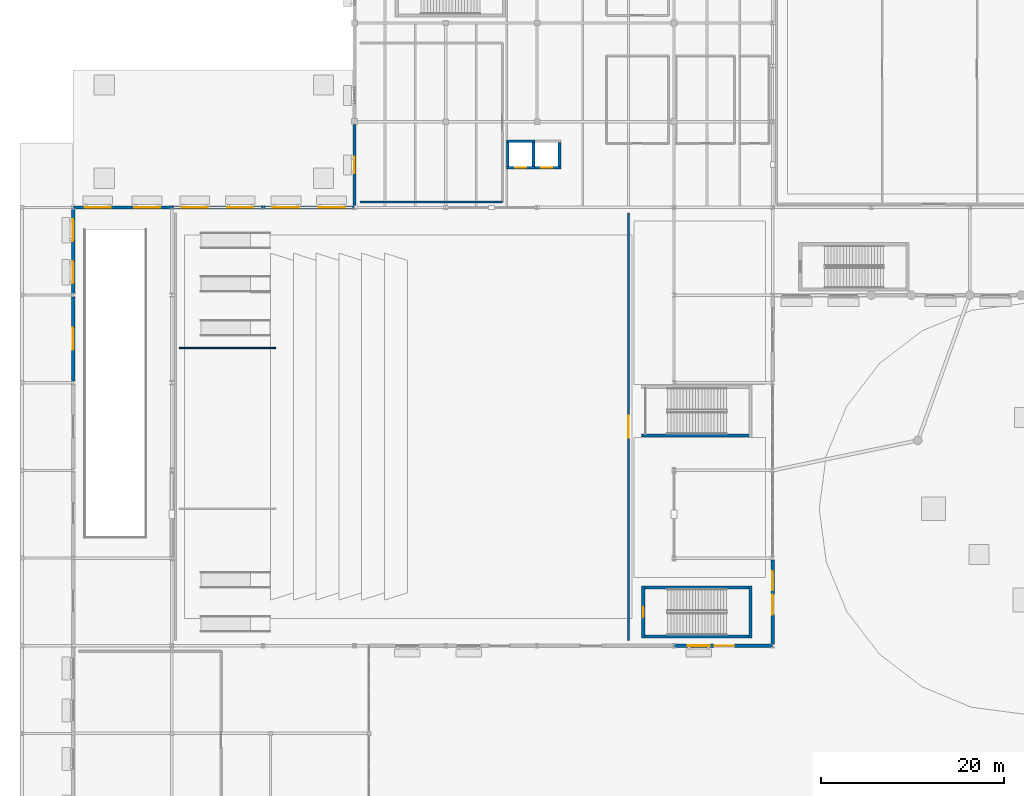
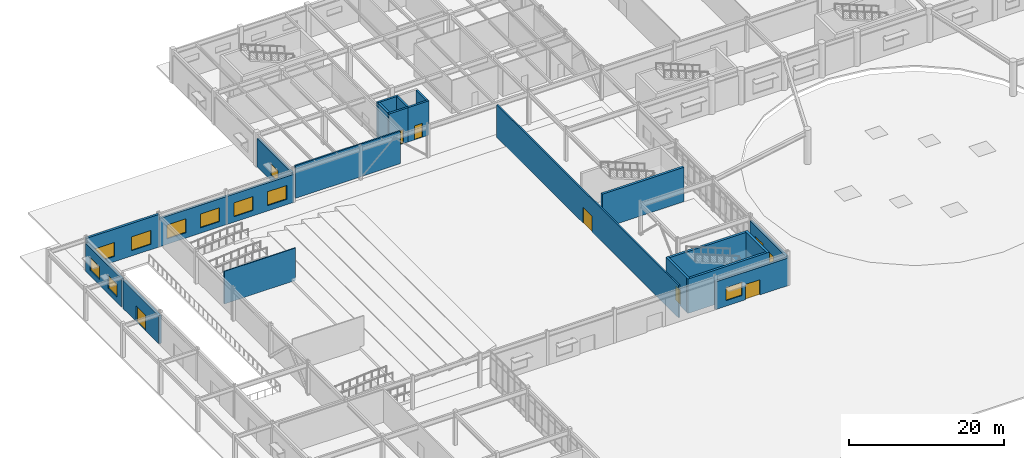
# One storey, part 30 of 54: 22 walls, 11 windows, 7 doors, 18 openings.
"""IFC4 building model written with IfcOpenShell, lengths in metres."""

from ifc_helpers import new_model, si_unit, direction, frame, frame_2d, origin, place, context, subcontext, project, spatial, rectangle, extrude, material, layer, layer_set, type_object, element, fill, save


model = new_model("IFC4")

# Units and contexts
model_context = context("Model", 3, precision=1e-05, world=origin(), true_north=direction((0.0, 1.0)))
body_context = subcontext(model_context, "Body", "Model", "MODEL_VIEW")
ifc_project = project(units=[si_unit("LENGTHUNIT", "METRE"), si_unit("AREAUNIT", "SQUARE_METRE"), si_unit("VOLUMEUNIT", "CUBIC_METRE"), si_unit("PLANEANGLEUNIT", "RADIAN"), si_unit("MASSUNIT", "GRAM", prefix="KILO")], contexts=[model_context])

# Site, building, storey
site_placement = place(None, origin())
site = spatial("IfcSite", under=ifc_project, at=site_placement, CompositionType="ELEMENT")
building_placement = place(site_placement, origin())
building = spatial("IfcBuilding", under=site, at=building_placement, Name="Veldera Park Congress Hotel", CompositionType="ELEMENT")
storey_placement = place(building_placement, origin())
storey = spatial("IfcBuildingStorey", under=building, at=storey_placement, Name="L00", CompositionType="ELEMENT", Elevation=0.0)

# Wall, opening, window
ifc_material_1 = material(Name="Cross-laminated timber CLT V2M1.1", Category="wood")
ifc_layer_1 = layer(ifc_material_1, 0.320068359375)
ifc_layer_set_1 = layer_set([ifc_layer_1], Name="Cross-laminated timber CLT V2M1.1")
wall_type_1 = type_object("IfcWallType", Name="EW-CLT320", PredefinedType="STANDARD", material=ifc_layer_set_1)
wall_1_placement = place(storey_placement, frame((-47.39990234375, 36.076904296875, 0.0), z_axis=(0.0, 0.0, 1.0), x_axis=(0.0, -1.0, 0.0)))
wall_1 = element("IfcWall", 1, at=wall_1_placement, inside=storey, type_object=wall_type_1, Name="L00 Exterior Wall EW3-L00-0018", PredefinedType="STANDARD", context=body_context, shape_type="SweptSolid", body=[
    extrude(rectangle(XDim=8.885498046875, YDim=0.320068359375, at=frame_2d((4.44287109375, 0.0))), origin(), (0.0, 0.0, 1.0), 4.498046875),
])
opening_1_placement = place(wall_1_placement, frame((3.542724609375, 0.0, 0.85009765625)))
opening_1 = element("IfcOpeningElement", 2, at=opening_1_placement, cuts=wall_1, Name="Opening WIN-1800", PredefinedType="OPENING", context=body_context, shape_type="SweptSolid", body=[
    extrude(rectangle(XDim=1.800048828125, YDim=1.85009765625, at=frame_2d((0.89990234375, 0.925048828125))), frame((0.0, 0.172119140625, 0.0), z_axis=(0.0, -1.0, 0.0), x_axis=(1.0, 0.0, 0.0)), (0.0, 0.0, 1.0), 0.343994140625),
])
ifc_material_2 = material(Name="Low-E Triple Insulating Glass Unit (SHGC 0.22)", Category="glass")
window_type_1 = type_object("IfcWindowType", Name="WIN-1800", PartitioningType="SINGLE_PANEL", PredefinedType="WINDOW", material=ifc_material_2)
window_1_placement = place(opening_1_placement, origin())
window_1 = element("IfcWindow", 3, at=window_1_placement, inside=storey, type_object=window_type_1, Name="L00 Window WIN-1800 16", OverallHeight=1.85009765625, OverallWidth=1.800048828125, PartitioningType="SINGLE_PANEL", PredefinedType="WINDOW", context=body_context, shape_type="SweptSolid", body=[
    extrude(rectangle(XDim=1.800048828125, YDim=1.85009765625, at=frame_2d((0.89990234375, 0.925048828125))), frame((0.0, 0.030029296875, 0.0), z_axis=(0.0, -1.0, 0.0), x_axis=(1.0, 0.0, 0.0)), (0.0, 0.0, 1.0), 0.06005859375),
])
fill(opening_1, window_1)

# Wall, openings, windows
ifc_material_3 = material(Name="Architectural Sandstone Cladding (ASTM C616)", Category="masonry")
ifc_layer_2 = layer(ifc_material_3, 0.340087890625)
ifc_layer_set_2 = layer_set([ifc_layer_2], Name="Architectural Sandstone Cladding (ASTM C616)")
wall_type_2 = type_object("IfcWallType", Name="EW-STONE340", PredefinedType="STANDARD", material=ifc_layer_set_2)
wall_2_placement = place(storey_placement, frame((-47.408447265625, 27.0, 0.0), z_axis=(0.0, 0.0, 1.0), x_axis=(-1.0, 0.0, 0.0)))
wall_2 = element("IfcWall", 4, at=wall_2_placement, inside=storey, type_object=wall_type_2, Name="L00 Exterior Wall EW3-L00-0013", PredefinedType="STANDARD", context=body_context, shape_type="SweptSolid", body=[
    extrude(rectangle(XDim=9.98291015625, YDim=0.340087890625, at=frame_2d((4.991455078125, 0.0))), origin(), (0.0, 0.0, 1.0), 4.4140625),
])
opening_2_placement = place(wall_2_placement, frame((1.07080078125, 0.0, 0.85009765625)))
opening_2 = element("IfcOpeningElement", 5, at=opening_2_placement, cuts=wall_2, Name="Opening WIN-2850", PredefinedType="OPENING", context=body_context, shape_type="SweptSolid", body=[
    extrude(rectangle(XDim=2.85009765625, YDim=2.179931640625, at=frame_2d((1.425048828125, 1.08984375))), frame((0.0, 0.18212890625, 0.0), z_axis=(0.0, -1.0, 0.0), x_axis=(1.0, 0.0, 0.0)), (0.0, 0.0, 1.0), 0.364013671875),
])
opening_3_placement = place(wall_2_placement, frame((6.062255859375, 0.0, 0.85009765625)))
opening_3 = element("IfcOpeningElement", 6, at=opening_3_placement, cuts=wall_2, Name="Opening WIN-2850", PredefinedType="OPENING", context=body_context, shape_type="SweptSolid", body=[
    extrude(rectangle(XDim=2.85009765625, YDim=2.179931640625, at=frame_2d((1.425048828125, 1.08984375))), frame((0.0, 0.18212890625, 0.0), z_axis=(0.0, -1.0, 0.0), x_axis=(1.0, 0.0, 0.0)), (0.0, 0.0, 1.0), 0.364013671875),
])
window_type_2 = type_object("IfcWindowType", Name="WIN-2850", PartitioningType="TRIPLE_PANEL_VERTICAL", PredefinedType="WINDOW", material=ifc_material_2)
window_2_placement = place(opening_2_placement, origin())
window_2 = element("IfcWindow", 7, at=window_2_placement, inside=storey, type_object=window_type_2, Name="L00 Window WIN-2850 8", OverallHeight=2.179931640625, OverallWidth=2.85009765625, PartitioningType="TRIPLE_PANEL_VERTICAL", PredefinedType="WINDOW", context=body_context, shape_type="SweptSolid", body=[
    extrude(rectangle(XDim=2.85009765625, YDim=2.179931640625, at=frame_2d((1.425048828125, 1.08984375))), frame((0.0, 0.030029296875, 0.0), z_axis=(0.0, -1.0, 0.0), x_axis=(1.0, 0.0, 0.0)), (0.0, 0.0, 1.0), 0.06005859375),
])
fill(opening_2, window_2)
window_3_placement = place(opening_3_placement, origin())
window_3 = element("IfcWindow", 8, at=window_3_placement, inside=storey, type_object=window_type_2, Name="L00 Window WIN-2850 9", OverallHeight=2.179931640625, OverallWidth=2.85009765625, PartitioningType="TRIPLE_PANEL_VERTICAL", PredefinedType="WINDOW", context=body_context, shape_type="SweptSolid", body=[
    extrude(rectangle(XDim=2.85009765625, YDim=2.179931640625, at=frame_2d((1.425048828125, 1.08984375))), frame((0.0, 0.030029296875, 0.0), z_axis=(0.0, -1.0, 0.0), x_axis=(1.0, 0.0, 0.0)), (0.0, 0.0, 1.0), 0.06005859375),
])
fill(opening_3, window_3)

wall_3_placement = place(storey_placement, frame((-57.408447265625, 27.0, 0.0), z_axis=(0.0, 0.0, 1.0), x_axis=(-1.0, 0.0, 0.0)))
wall_3 = element("IfcWall", 9, at=wall_3_placement, inside=storey, type_object=wall_type_2, Name="L00 Exterior Wall EW3-L00-0014", PredefinedType="STANDARD", context=body_context, shape_type="SweptSolid", body=[
    extrude(rectangle(XDim=9.978759765625, YDim=0.340087890625, at=frame_2d((4.9892578125, 0.0))), origin(), (0.0, 0.0, 1.0), 4.4140625),
])
opening_4_placement = place(wall_3_placement, frame((1.069580078125, 0.0, 0.85009765625)))
opening_4 = element("IfcOpeningElement", 10, at=opening_4_placement, cuts=wall_3, Name="Opening WIN-2850", PredefinedType="OPENING", context=body_context, shape_type="SweptSolid", body=[
    extrude(rectangle(XDim=2.85009765625, YDim=2.179931640625, at=frame_2d((1.425048828125, 1.08984375))), frame((0.0, 0.18212890625, 0.0), z_axis=(0.0, -1.0, 0.0), x_axis=(1.0, 0.0, 0.0)), (0.0, 0.0, 1.0), 0.364013671875),
])
opening_5_placement = place(wall_3_placement, frame((6.05908203125, 0.0, 0.85009765625)))
opening_5 = element("IfcOpeningElement", 11, at=opening_5_placement, cuts=wall_3, Name="Opening WIN-2850", PredefinedType="OPENING", context=body_context, shape_type="SweptSolid", body=[
    extrude(rectangle(XDim=2.85009765625, YDim=2.179931640625, at=frame_2d((1.425048828125, 1.08984375))), frame((0.0, 0.18212890625, 0.0), z_axis=(0.0, -1.0, 0.0), x_axis=(1.0, 0.0, 0.0)), (0.0, 0.0, 1.0), 0.364013671875),
])
window_4_placement = place(opening_4_placement, origin())
window_4 = element("IfcWindow", 12, at=window_4_placement, inside=storey, type_object=window_type_2, Name="L00 Window WIN-2850 10", OverallHeight=2.179931640625, OverallWidth=2.85009765625, PartitioningType="TRIPLE_PANEL_VERTICAL", PredefinedType="WINDOW", context=body_context, shape_type="SweptSolid", body=[
    extrude(rectangle(XDim=2.85009765625, YDim=2.179931640625, at=frame_2d((1.425048828125, 1.08984375))), frame((0.0, 0.030029296875, 0.0), z_axis=(0.0, -1.0, 0.0), x_axis=(1.0, 0.0, 0.0)), (0.0, 0.0, 1.0), 0.06005859375),
])
fill(opening_4, window_4)
window_5_placement = place(opening_5_placement, origin())
window_5 = element("IfcWindow", 13, at=window_5_placement, inside=storey, type_object=window_type_2, Name="L00 Window WIN-2850 11", OverallHeight=2.179931640625, OverallWidth=2.85009765625, PartitioningType="TRIPLE_PANEL_VERTICAL", PredefinedType="WINDOW", context=body_context, shape_type="SweptSolid", body=[
    extrude(rectangle(XDim=2.85009765625, YDim=2.179931640625, at=frame_2d((1.425048828125, 1.08984375))), frame((0.0, 0.030029296875, 0.0), z_axis=(0.0, -1.0, 0.0), x_axis=(1.0, 0.0, 0.0)), (0.0, 0.0, 1.0), 0.06005859375),
])
fill(opening_5, window_5)

wall_4_placement = place(storey_placement, frame((-67.412841796875, 27.0, 0.0), z_axis=(0.0, 0.0, 1.0), x_axis=(-1.0, 0.0, 0.0)))
wall_4 = element("IfcWall", 14, at=wall_4_placement, inside=storey, type_object=wall_type_2, Name="L00 Exterior Wall EW3-L00-0015", PredefinedType="STANDARD", context=body_context, shape_type="SweptSolid", body=[
    extrude(rectangle(XDim=10.779541015625, YDim=0.340087890625, at=frame_2d((5.3896484375, 0.0))), origin(), (0.0, 0.0, 1.0), 5.1201171875),
])
opening_6_placement = place(wall_4_placement, frame((1.27001953125, 0.0, 0.85009765625)))
opening_6 = element("IfcOpeningElement", 15, at=opening_6_placement, cuts=wall_4, Name="Opening WIN-2850", PredefinedType="OPENING", context=body_context, shape_type="SweptSolid", body=[
    extrude(rectangle(XDim=2.85009765625, YDim=2.179931640625, at=frame_2d((1.425048828125, 1.08984375))), frame((0.0, 0.18212890625, 0.0), z_axis=(0.0, -1.0, 0.0), x_axis=(1.0, 0.0, 0.0)), (0.0, 0.0, 1.0), 0.364013671875),
])
opening_7_placement = place(wall_4_placement, frame((6.65966796875, 0.0, 0.85009765625)))
opening_7 = element("IfcOpeningElement", 16, at=opening_7_placement, cuts=wall_4, Name="Opening WIN-2850", PredefinedType="OPENING", context=body_context, shape_type="SweptSolid", body=[
    extrude(rectangle(XDim=2.85009765625, YDim=2.179931640625, at=frame_2d((1.425048828125, 1.08984375))), frame((0.0, 0.18212890625, 0.0), z_axis=(0.0, -1.0, 0.0), x_axis=(1.0, 0.0, 0.0)), (0.0, 0.0, 1.0), 0.364013671875),
])
window_6_placement = place(opening_6_placement, origin())
window_6 = element("IfcWindow", 17, at=window_6_placement, inside=storey, type_object=window_type_2, Name="L00 Window WIN-2850 12", OverallHeight=2.179931640625, OverallWidth=2.85009765625, PartitioningType="TRIPLE_PANEL_VERTICAL", PredefinedType="WINDOW", context=body_context, shape_type="SweptSolid", body=[
    extrude(rectangle(XDim=2.85009765625, YDim=2.179931640625, at=frame_2d((1.425048828125, 1.08984375))), frame((0.0, 0.030029296875, 0.0), z_axis=(0.0, -1.0, 0.0), x_axis=(1.0, 0.0, 0.0)), (0.0, 0.0, 1.0), 0.06005859375),
])
fill(opening_6, window_6)
window_7_placement = place(opening_7_placement, origin())
window_7 = element("IfcWindow", 18, at=window_7_placement, inside=storey, type_object=window_type_2, Name="L00 Window WIN-2850 13", OverallHeight=2.179931640625, OverallWidth=2.85009765625, PartitioningType="TRIPLE_PANEL_VERTICAL", PredefinedType="WINDOW", context=body_context, shape_type="SweptSolid", body=[
    extrude(rectangle(XDim=2.85009765625, YDim=2.179931640625, at=frame_2d((1.425048828125, 1.08984375))), frame((0.0, 0.030029296875, 0.0), z_axis=(0.0, -1.0, 0.0), x_axis=(1.0, 0.0, 0.0)), (0.0, 0.0, 1.0), 0.06005859375),
])
fill(opening_7, window_7)

# Wall, openings, door, window
ifc_layer_3 = layer(ifc_material_3, 0.360107421875)
ifc_layer_set_3 = layer_set([ifc_layer_3], Name="Architectural Sandstone Cladding (ASTM C616)")
wall_type_3 = type_object("IfcWallType", Name="EW-STONE360", PredefinedType="STANDARD", material=ifc_layer_set_3)
wall_5_placement = place(storey_placement, frame((-12.38720703125, -21.0, 0.0), z_axis=(0.0, 0.0, 1.0), x_axis=(1.0, 0.0, 0.0)))
wall_5 = element("IfcWall", 19, at=wall_5_placement, inside=storey, type_object=wall_type_3, Name="L00 Exterior Wall EW3-L00-0010", PredefinedType="STANDARD", context=body_context, shape_type="SweptSolid", body=[
    extrude(rectangle(XDim=10.77978515625, YDim=0.360107421875, at=frame_2d((5.389892578125, 0.0))), origin(), (0.0, 0.0, 1.0), 4.3359375),
])
opening_8_placement = place(wall_5_placement, frame((4.38720703125, 0.0, 0.0)))
opening_8 = element("IfcOpeningElement", 20, at=opening_8_placement, cuts=wall_5, Name="Opening ED-EXIT220", PredefinedType="OPENING", context=body_context, shape_type="SweptSolid", body=[
    extrude(rectangle(XDim=2.199951171875, YDim=2.39990234375, at=frame_2d((1.10009765625, 1.199951171875))), frame((0.0, 0.192138671875, 0.0), z_axis=(0.0, -1.0, 0.0), x_axis=(1.0, 0.0, 0.0)), (0.0, 0.0, 1.0), 0.384033203125),
])
opening_9_placement = place(wall_5_placement, frame((1.494873046875, 0.0, 0.85009765625)))
opening_9 = element("IfcOpeningElement", 21, at=opening_9_placement, cuts=wall_5, Name="Opening WIN-2400", PredefinedType="OPENING", context=body_context, shape_type="SweptSolid", body=[
    extrude(rectangle(XDim=2.39990234375, YDim=2.050048828125, at=frame_2d((1.199951171875, 1.02490234375))), frame((0.0, 0.192138671875, 0.0), z_axis=(0.0, -1.0, 0.0), x_axis=(1.0, 0.0, 0.0)), (0.0, 0.0, 1.0), 0.384033203125),
])
ifc_material_4 = material(Name="Anodised Aluminium Alloy 6063-T6", Category="aluminium")
door_type_1 = type_object("IfcDoorType", Name="ED-EXIT220", OperationType="DOUBLE_DOOR_SINGLE_SWING", PredefinedType="DOOR", material=ifc_material_4)
door_1_placement = place(opening_8_placement, frame((2.199951171875, 0.0, 0.0), z_axis=(0.0, 0.0, 1.0), x_axis=(-1.0, 0.0, 0.0)))
door_1 = element("IfcDoor", 22, at=door_1_placement, inside=storey, type_object=door_type_1, Name="Exterior Door ED-06 (DR3-EXT-L00-0007)", OperationType="DOUBLE_DOOR_SINGLE_SWING", OverallHeight=2.39990234375, OverallWidth=2.199951171875, PredefinedType="DOOR", context=body_context, shape_type="SweptSolid", body=[
    extrude(rectangle(XDim=2.199951171875, YDim=2.39990234375, at=frame_2d((1.10009765625, 1.199951171875))), frame((0.0, 0.02490234375, 0.0), z_axis=(0.0, -1.0, 0.0), x_axis=(1.0, 0.0, 0.0)), (0.0, 0.0, 1.0), 0.050048828125),
])
fill(opening_8, door_1)
window_type_3 = type_object("IfcWindowType", Name="WIN-2400", PartitioningType="DOUBLE_PANEL_VERTICAL", PredefinedType="WINDOW", material=ifc_material_2)
window_8_placement = place(opening_9_placement, origin())
window_8 = element("IfcWindow", 23, at=window_8_placement, inside=storey, type_object=window_type_3, Name="L00 Window WIN-2400 5", OverallHeight=2.050048828125, OverallWidth=2.39990234375, PartitioningType="DOUBLE_PANEL_VERTICAL", PredefinedType="WINDOW", context=body_context, shape_type="SweptSolid", body=[
    extrude(rectangle(XDim=2.39990234375, YDim=2.050048828125, at=frame_2d((1.199951171875, 1.02490234375))), frame((0.0, 0.030029296875, 0.0), z_axis=(0.0, -1.0, 0.0), x_axis=(1.0, 0.0, 0.0)), (0.0, 0.0, 1.0), 0.06005859375),
])
fill(opening_9, window_8)

wall_6_placement = place(storey_placement, frame((-1.60009765625, -20.8115234375, 0.0), z_axis=(0.0, 0.0, 1.0), x_axis=(0.0, 1.0, 0.0)))
wall_6 = element("IfcWall", 24, at=wall_6_placement, inside=storey, type_object=wall_type_3, Name="L00 Exterior Wall EW3-L00-0011", PredefinedType="STANDARD", context=body_context, shape_type="SweptSolid", body=[
    extrude(rectangle(XDim=9.22314453125, YDim=0.360107421875, at=frame_2d((4.611572265625, 0.0))), origin(), (0.0, 0.0, 1.0), 4.422119140625),
])
opening_10_placement = place(wall_6_placement, frame((3.21142578125, 0.0, 0.0)))
opening_10 = element("IfcOpeningElement", 25, at=opening_10_placement, cuts=wall_6, Name="Opening ED-EXIT220", PredefinedType="OPENING", context=body_context, shape_type="SweptSolid", body=[
    extrude(rectangle(XDim=2.199951171875, YDim=2.39990234375, at=frame_2d((1.10009765625, 1.199951171875))), frame((0.0, 0.192138671875, 0.0), z_axis=(0.0, -1.0, 0.0), x_axis=(1.0, 0.0, 0.0)), (0.0, 0.0, 1.0), 0.384033203125),
])
opening_11_placement = place(wall_6_placement, frame((5.8671875, 0.0, 0.85009765625)))
opening_11 = element("IfcOpeningElement", 26, at=opening_11_placement, cuts=wall_6, Name="Opening WIN-2100", PredefinedType="OPENING", context=body_context, shape_type="SweptSolid", body=[
    extrude(rectangle(XDim=2.10009765625, YDim=1.949951171875, at=frame_2d((1.050048828125, 0.97509765625))), frame((0.0, 0.192138671875, 0.0), z_axis=(0.0, -1.0, 0.0), x_axis=(1.0, 0.0, 0.0)), (0.0, 0.0, 1.0), 0.384033203125),
])
door_2_placement = place(opening_10_placement, frame((2.199951171875, 0.0, 0.0), z_axis=(0.0, 0.0, 1.0), x_axis=(-1.0, 0.0, 0.0)))
door_2 = element("IfcDoor", 27, at=door_2_placement, inside=storey, type_object=door_type_1, Name="Exterior Door ED-07 (DR3-EXT-L00-0008)", OperationType="DOUBLE_DOOR_SINGLE_SWING", OverallHeight=2.39990234375, OverallWidth=2.199951171875, PredefinedType="DOOR", context=body_context, shape_type="SweptSolid", body=[
    extrude(rectangle(XDim=2.199951171875, YDim=2.39990234375, at=frame_2d((1.10009765625, 1.199951171875))), frame((0.0, 0.02490234375, 0.0), z_axis=(0.0, -1.0, 0.0), x_axis=(1.0, 0.0, 0.0)), (0.0, 0.0, 1.0), 0.050048828125),
])
fill(opening_10, door_2)
window_type_4 = type_object("IfcWindowType", Name="WIN-2100", PartitioningType="DOUBLE_PANEL_VERTICAL", PredefinedType="WINDOW", material=ifc_material_2)
window_9_placement = place(opening_11_placement, origin())
window_9 = element("IfcWindow", 28, at=window_9_placement, inside=storey, type_object=window_type_4, Name="L00 Window WIN-2100 6", OverallHeight=1.949951171875, OverallWidth=2.10009765625, PartitioningType="DOUBLE_PANEL_VERTICAL", PredefinedType="WINDOW", context=body_context, shape_type="SweptSolid", body=[
    extrude(rectangle(XDim=2.10009765625, YDim=1.949951171875, at=frame_2d((1.050048828125, 0.97509765625))), frame((0.0, 0.030029296875, 0.0), z_axis=(0.0, -1.0, 0.0), x_axis=(1.0, 0.0, 0.0)), (0.0, 0.0, 1.0), 0.06005859375),
])
fill(opening_11, window_9)

# Wall, openings, windows
ifc_layer_4 = layer(ifc_material_3, 0.3798828125)
ifc_layer_set_4 = layer_set([ifc_layer_4], Name="Architectural Sandstone Cladding (ASTM C616)")
wall_type_4 = type_object("IfcWallType", Name="EW-STONE380", PredefinedType="STANDARD", material=ifc_layer_set_4)
wall_7_placement = place(storey_placement, frame((-78.199951171875, 26.8115234375, 0.0), z_axis=(0.0, 0.0, 1.0), x_axis=(0.0, -1.0, 0.0)))
wall_7 = element("IfcWall", 29, at=wall_7_placement, inside=storey, type_object=wall_type_4, Name="L00 Exterior Wall EW3-L00-0001", PredefinedType="STANDARD", context=body_context, shape_type="SweptSolid", body=[
    extrude(rectangle(XDim=9.22314453125, YDim=0.3798828125, at=frame_2d((4.611572265625, 0.0))), origin(), (0.0, 0.0, 1.0), 4.4189453125),
])
opening_12_placement = place(wall_7_placement, frame((1.105712890625, 0.0, 0.85009765625)))
opening_12 = element("IfcOpeningElement", 30, at=opening_12_placement, cuts=wall_7, Name="Opening WIN-2400", PredefinedType="OPENING", context=body_context, shape_type="SweptSolid", body=[
    extrude(rectangle(XDim=2.39990234375, YDim=2.050048828125, at=frame_2d((1.199951171875, 1.02490234375))), frame((0.0, 0.201904296875, 0.0), z_axis=(0.0, -1.0, 0.0), x_axis=(1.0, 0.0, 0.0)), (0.0, 0.0, 1.0), 0.40380859375),
])
opening_13_placement = place(wall_7_placement, frame((5.71728515625, 0.0, 0.85009765625)))
opening_13 = element("IfcOpeningElement", 31, at=opening_13_placement, cuts=wall_7, Name="Opening WIN-2400", PredefinedType="OPENING", context=body_context, shape_type="SweptSolid", body=[
    extrude(rectangle(XDim=2.39990234375, YDim=2.050048828125, at=frame_2d((1.199951171875, 1.02490234375))), frame((0.0, 0.201904296875, 0.0), z_axis=(0.0, -1.0, 0.0), x_axis=(1.0, 0.0, 0.0)), (0.0, 0.0, 1.0), 0.40380859375),
])
window_10_placement = place(opening_12_placement, origin())
window_10 = element("IfcWindow", 32, at=window_10_placement, inside=storey, type_object=window_type_3, Name="L00 Window WIN-2400 1", OverallHeight=2.050048828125, OverallWidth=2.39990234375, PartitioningType="DOUBLE_PANEL_VERTICAL", PredefinedType="WINDOW", context=body_context, shape_type="SweptSolid", body=[
    extrude(rectangle(XDim=2.39990234375, YDim=2.050048828125, at=frame_2d((1.199951171875, 1.02490234375))), frame((0.0, 0.030029296875, 0.0), z_axis=(0.0, -1.0, 0.0), x_axis=(1.0, 0.0, 0.0)), (0.0, 0.0, 1.0), 0.06005859375),
])
fill(opening_12, window_10)
window_11_placement = place(opening_13_placement, origin())
window_11 = element("IfcWindow", 33, at=window_11_placement, inside=storey, type_object=window_type_3, Name="L00 Window WIN-2400 2", OverallHeight=2.050048828125, OverallWidth=2.39990234375, PartitioningType="DOUBLE_PANEL_VERTICAL", PredefinedType="WINDOW", context=body_context, shape_type="SweptSolid", body=[
    extrude(rectangle(XDim=2.39990234375, YDim=2.050048828125, at=frame_2d((1.199951171875, 1.02490234375))), frame((0.0, 0.030029296875, 0.0), z_axis=(0.0, -1.0, 0.0), x_axis=(1.0, 0.0, 0.0)), (0.0, 0.0, 1.0), 0.06005859375),
])
fill(opening_13, window_11)

# Wall, opening, door
wall_8_placement = place(storey_placement, frame((-78.199951171875, 17.21142578125, 0.0), z_axis=(0.0, 0.0, 1.0), x_axis=(0.0, -1.0, 0.0)))
wall_8 = element("IfcWall", 34, at=wall_8_placement, inside=storey, type_object=wall_type_4, Name="L00 Exterior Wall EW3-L00-0002", PredefinedType="STANDARD", context=body_context, shape_type="SweptSolid", body=[
    extrude(rectangle(XDim=9.222900390625, YDim=0.3798828125, at=frame_2d((4.611328125, 0.0))), origin(), (0.0, 0.0, 1.0), 4.4189453125),
])
opening_14_placement = place(wall_8_placement, frame((3.41162109375, 0.0, 0.0)))
opening_14 = element("IfcOpeningElement", 35, at=opening_14_placement, cuts=wall_8, Name="Opening ED-EXIT240", PredefinedType="OPENING", context=body_context, shape_type="SweptSolid", body=[
    extrude(rectangle(XDim=2.39990234375, YDim=2.449951171875, at=frame_2d((1.199951171875, 1.22509765625))), frame((0.0, 0.201904296875, 0.0), z_axis=(0.0, -1.0, 0.0), x_axis=(1.0, 0.0, 0.0)), (0.0, 0.0, 1.0), 0.40380859375),
])
door_type_2 = type_object("IfcDoorType", Name="ED-EXIT240", OperationType="DOUBLE_DOOR_SINGLE_SWING", PredefinedType="DOOR", material=ifc_material_4)
door_3_placement = place(opening_14_placement, frame((2.39990234375, 0.0, 0.0), z_axis=(0.0, 0.0, 1.0), x_axis=(-1.0, 0.0, 0.0)))
door_3 = element("IfcDoor", 36, at=door_3_placement, inside=storey, type_object=door_type_2, Name="Exterior Door ED-01 (DR3-EXT-L00-0001)", OperationType="DOUBLE_DOOR_SINGLE_SWING", OverallHeight=2.449951171875, OverallWidth=2.39990234375, PredefinedType="DOOR", context=body_context, shape_type="SweptSolid", body=[
    extrude(rectangle(XDim=2.39990234375, YDim=2.449951171875, at=frame_2d((1.199951171875, 1.22509765625))), frame((0.0, 0.02490234375, 0.0), z_axis=(0.0, -1.0, 0.0), x_axis=(1.0, 0.0, 0.0)), (0.0, 0.0, 1.0), 0.050048828125),
])
fill(opening_14, door_3)

ifc_material_5 = material(Name="Concrete f'c 40 MPa (5,800 psi)", Category="concrete")
ifc_layer_5 = layer(ifc_material_5, 0.219970703125)
ifc_layer_set_5 = layer_set([ifc_layer_5], Name="Concrete f'c 40 MPa (5,800 psi)")
wall_type_5 = type_object("IfcWallType", Name="IW-FIRE220", PredefinedType="STANDARD", material=ifc_layer_set_5)
wall_9_placement = place(storey_placement, frame((-17.39990234375, -20.39990234375, 0.0), z_axis=(0.0, 0.0, 1.0), x_axis=(0.0, 1.0, 0.0)))
wall_9 = element("IfcWall", 37, at=wall_9_placement, inside=storey, type_object=wall_type_5, Name="L00 Partition Wall IW3-L00-00047", PredefinedType="STANDARD", context=body_context, shape_type="SweptSolid", body=[
    extrude(rectangle(XDim=46.7998046875, YDim=0.219970703125, at=frame_2d((23.39990234375, 0.0))), origin(), (0.0, 0.0, 1.0), 5.1201171875),
])
opening_15_placement = place(wall_9_placement, frame((22.199951171875, 0.0, 0.0)))
opening_15 = element("IfcOpeningElement", 38, at=opening_15_placement, cuts=wall_9, Name="Opening ID-HALL240", PredefinedType="OPENING", context=body_context, shape_type="SweptSolid", body=[
    extrude(rectangle(XDim=2.39990234375, YDim=2.5, at=frame_2d((1.199951171875, 1.25))), frame((0.0, 0.1220703125, 0.0), z_axis=(0.0, -1.0, 0.0), x_axis=(1.0, 0.0, 0.0)), (0.0, 0.0, 1.0), 0.243896484375),
])
ifc_material_6 = material(Name="Solid Core White Oak Architectural Door", Category="wood")
door_type_3 = type_object("IfcDoorType", Name="ID-HALL240", OperationType="DOUBLE_DOOR_SINGLE_SWING", PredefinedType="DOOR", material=ifc_material_6)
door_4_placement = place(opening_15_placement, origin())
door_4 = element("IfcDoor", 39, at=door_4_placement, inside=storey, type_object=door_type_3, Name="L00 Plenary Congress Hall Door ID3-L00-0018 (DR3-ID3-L00-0018)", OperationType="DOUBLE_DOOR_SINGLE_SWING", OverallHeight=2.5, OverallWidth=2.39990234375, PredefinedType="DOOR", context=body_context, shape_type="SweptSolid", body=[
    extrude(rectangle(XDim=2.39990234375, YDim=2.5, at=frame_2d((1.199951171875, 1.25))), frame((0.0, 0.02490234375, 0.0), z_axis=(0.0, -1.0, 0.0), x_axis=(1.0, 0.0, 0.0)), (0.0, 0.0, 1.0), 0.050048828125),
])
fill(opening_15, door_4)

# Walls
wall_10_placement = place(storey_placement, frame((-46.800048828125, 27.60009765625, 0.0), z_axis=(0.0, 0.0, 1.0), x_axis=(1.0, 0.0, 0.0)))
element("IfcWall", 40, at=wall_10_placement, inside=storey, type_object=wall_type_5, Name="L00 Partition Wall IW3-L00-00049", PredefinedType="STANDARD", context=body_context, shape_type="SweptSolid", body=[
    extrude(rectangle(XDim=15.60009765625, YDim=0.219970703125, at=frame_2d((7.800048828125, 0.0))), origin(), (0.0, 0.0, 1.0), 5.1201171875),
])
ifc_material_7 = material(Name="Micro-Perforated Western Hemlock Acoustic Timber", Category="wood")
ifc_layer_6 = layer(ifc_material_7, 0.139892578125)
ifc_layer_set_6 = layer_set([ifc_layer_6], Name="Micro-Perforated Western Hemlock Acoustic Timber")
wall_type_6 = type_object("IfcWallType", Name="IW-MOV140", PredefinedType="MOVABLE", material=ifc_layer_set_6)
wall_11_placement = place(storey_placement, frame((-66.60009765625, 11.60009765625, 0.0), z_axis=(0.0, 0.0, 1.0), x_axis=(1.0, 0.0, 0.0)))
element("IfcWall", 41, at=wall_11_placement, inside=storey, type_object=wall_type_6, Name="L00 Partition Wall IW3-L00-00362", PredefinedType="MOVABLE", context=body_context, shape_type="SweptSolid", body=[
    extrude(rectangle(XDim=10.60009765625, YDim=0.139892578125, at=frame_2d((5.300048828125, 0.0))), origin(), (0.0, 0.0, 1.0), 5.1201171875),
])
ifc_layer_7 = layer(ifc_material_5, 0.35009765625)
ifc_layer_set_7 = layer_set([ifc_layer_7], Name="Concrete f'c 40 MPa (5,800 psi)")
wall_type_7 = type_object("IfcWallType", Name="SW-CORE350", PredefinedType="SHEAR", material=ifc_layer_set_7)
wall_12_placement = place(storey_placement, frame((-15.949951171875, -19.97509765625, 0.0), z_axis=(0.0, 0.0, 1.0), x_axis=(1.0, 0.0, 0.0)))
element("IfcWall", 42, at=wall_12_placement, inside=storey, type_object=wall_type_7, Name="Stair ST5 Core Wall L00-S", PredefinedType="SHEAR", context=body_context, shape_type="SweptSolid", body=[
    extrude(rectangle(XDim=12.099853515625, YDim=0.35009765625, at=frame_2d((6.0498046875, 0.0))), origin(), (0.0, 0.0, 1.0), 5.39990234375),
])
wall_13_placement = place(storey_placement, frame((-4.02490234375, -20.14990234375, 0.0), z_axis=(0.0, 0.0, 1.0), x_axis=(0.0, 1.0, 0.0)))
element("IfcWall", 43, at=wall_13_placement, inside=storey, type_object=wall_type_7, Name="Stair ST5 Core Wall L00-E", PredefinedType="SHEAR", context=body_context, shape_type="SweptSolid", body=[
    extrude(rectangle(XDim=5.699951171875, YDim=0.35009765625, at=frame_2d((2.85009765625, 0.0))), origin(), (0.0, 0.0, 1.0), 5.39990234375),
])
wall_14_placement = place(storey_placement, frame((-3.85009765625, -14.625, 0.0), z_axis=(0.0, 0.0, 1.0), x_axis=(-1.0, 0.0, 0.0)))
element("IfcWall", 44, at=wall_14_placement, inside=storey, type_object=wall_type_7, Name="Stair ST5 Core Wall L00-N", PredefinedType="SHEAR", context=body_context, shape_type="SweptSolid", body=[
    extrude(rectangle(XDim=12.099853515625, YDim=0.35009765625, at=frame_2d((6.0498046875, 0.0))), origin(), (0.0, 0.0, 1.0), 5.39990234375),
])

# Wall, opening, door
wall_15_placement = place(storey_placement, frame((-15.77490234375, -14.449951171875, 0.0), z_axis=(0.0, 0.0, 1.0), x_axis=(0.0, -1.0, 0.0)))
wall_15 = element("IfcWall", 45, at=wall_15_placement, inside=storey, type_object=wall_type_7, Name="Stair ST5 Core Wall L00-W", PredefinedType="SHEAR", context=body_context, shape_type="SweptSolid", body=[
    extrude(rectangle(XDim=5.699951171875, YDim=0.35009765625, at=frame_2d((2.85009765625, 0.0))), origin(), (0.0, 0.0, 1.0), 5.39990234375),
])
opening_16_placement = place(wall_15_placement, frame((2.25, 0.0, 0.0)))
opening_16 = element("IfcOpeningElement", 46, at=opening_16_placement, cuts=wall_15, Name="Opening ID-STAIR120", PredefinedType="OPENING", context=body_context, shape_type="SweptSolid", body=[
    extrude(rectangle(XDim=1.199951171875, YDim=2.199951171875, at=frame_2d((0.60009765625, 1.10009765625))), frame((0.0, 0.18701171875, 0.0), z_axis=(0.0, -1.0, 0.0), x_axis=(1.0, 0.0, 0.0)), (0.0, 0.0, 1.0), 0.3740234375),
])
ifc_material_8 = material(Name="Hollow Metal Fire-Rated Steel Door", Category="steel")
door_type_4 = type_object("IfcDoorType", Name="ID-STAIR120", OperationType="NOTDEFINED", PredefinedType="DOOR", material=ifc_material_8)
door_5_placement = place(opening_16_placement, origin())
door_5 = element("IfcDoor", 47, at=door_5_placement, inside=storey, type_object=door_type_4, Name="L00 Stair ST5 Fire Door (DR3-SD-ST5-L00)", OperationType="SINGLE_SWING_LEFT", OverallHeight=2.199951171875, OverallWidth=1.199951171875, PredefinedType="DOOR", context=body_context, shape_type="SweptSolid", body=[
    extrude(rectangle(XDim=1.199951171875, YDim=2.199951171875, at=frame_2d((0.60009765625, 1.10009765625))), frame((0.0, 0.02490234375, 0.0), z_axis=(0.0, -1.0, 0.0), x_axis=(1.0, 0.0, 0.0)), (0.0, 0.0, 1.0), 0.050048828125),
])
fill(opening_16, door_5)

# Wall
wall_16_placement = place(storey_placement, frame((-15.949951171875, 2.02490234375, 0.0), z_axis=(0.0, 0.0, 1.0), x_axis=(1.0, 0.0, 0.0)))
element("IfcWall", 48, at=wall_16_placement, inside=storey, type_object=wall_type_7, Name="Monumental Stair ST9 Wall L00-S", PredefinedType="SHEAR", context=body_context, shape_type="SweptSolid", body=[
    extrude(rectangle(XDim=12.099853515625, YDim=0.35009765625, at=frame_2d((6.0498046875, 0.0))), origin(), (0.0, 0.0, 1.0), 5.39990234375),
])

# Wall, opening, door
ifc_layer_8 = layer(ifc_material_5, 0.300048828125)
ifc_layer_set_8 = layer_set([ifc_layer_8], Name="Concrete f'c 40 MPa (5,800 psi)")
wall_type_8 = type_object("IfcWallType", Name="SW-SHFT300", PredefinedType="SHEAR", material=ifc_layer_set_8)
wall_17_placement = place(storey_placement, frame((-30.75, 31.35009765625, 0.0), z_axis=(0.0, 0.0, 1.0), x_axis=(1.0, 0.0, 0.0)))
wall_17 = element("IfcWall", 49, at=wall_17_placement, inside=storey, type_object=wall_type_8, Name="Lift CL-01 Shaft Wall L00-S", PredefinedType="SHEAR", context=body_context, shape_type="SweptSolid", body=[
    extrude(rectangle(XDim=3.10009765625, YDim=0.300048828125, at=frame_2d((1.550048828125, 0.0))), origin(), (0.0, 0.0, 1.0), 5.39990234375),
])
opening_17_placement = place(wall_17_placement, frame((0.949951171875, 0.0, 0.0)))
opening_17 = element("IfcOpeningElement", 50, at=opening_17_placement, cuts=wall_17, Name="Opening LD-120", PredefinedType="OPENING", context=body_context, shape_type="SweptSolid", body=[
    extrude(rectangle(XDim=1.199951171875, YDim=2.199951171875, at=frame_2d((0.60009765625, 1.10009765625))), frame((0.0, 0.162109375, 0.0), z_axis=(0.0, -1.0, 0.0), x_axis=(1.0, 0.0, 0.0)), (0.0, 0.0, 1.0), 0.323974609375),
])
door_type_5 = type_object("IfcDoorType", Name="LD-120", OperationType="DOUBLE_DOOR_SLIDING", PredefinedType="DOOR", material=ifc_material_8)
door_6_placement = place(opening_17_placement, origin())
door_6 = element("IfcDoor", 51, at=door_6_placement, inside=storey, type_object=door_type_5, Name="L00 Lift CL-01 Landing Door (DR3-LD-CL-01-L00)", OperationType="DOUBLE_DOOR_SLIDING", OverallHeight=2.199951171875, OverallWidth=1.199951171875, PredefinedType="DOOR", context=body_context, shape_type="SweptSolid", body=[
    extrude(rectangle(XDim=1.199951171875, YDim=2.199951171875, at=frame_2d((0.60009765625, 1.10009765625))), frame((0.0, 0.02490234375, 0.0), z_axis=(0.0, -1.0, 0.0), x_axis=(1.0, 0.0, 0.0)), (0.0, 0.0, 1.0), 0.050048828125),
])
fill(opening_17, door_6)

# Walls
wall_18_placement = place(storey_placement, frame((-27.64990234375, 34.25, 0.0), z_axis=(0.0, 0.0, 1.0), x_axis=(-1.0, 0.0, 0.0)))
element("IfcWall", 52, at=wall_18_placement, inside=storey, type_object=wall_type_8, Name="Lift CL-01 Shaft Wall L00-N", PredefinedType="SHEAR", context=body_context, shape_type="SweptSolid", body=[
    extrude(rectangle(XDim=3.10009765625, YDim=0.300048828125, at=frame_2d((1.550048828125, 0.0))), origin(), (0.0, 0.0, 1.0), 5.39990234375),
])
for number, where, z_axis, x_axis, name in (
    (53, (-27.800048828125, 31.5, 0.0), (0.0, 0.0, 1.0), (0.0, 1.0, 0.0), "Lift CL-01 Shaft Wall L00-E"),
    (54, (-30.60009765625, 34.10009765625, 0.0), (0.0, 0.0, 1.0), (0.0, -1.0, 0.0), "Lift CL-01 Shaft Wall L00-W"),
):
    element("IfcWall", number, at=place(storey_placement, frame(where, z_axis=z_axis, x_axis=x_axis)), inside=storey, type_object=wall_type_8, Name=name, PredefinedType="SHEAR", context=body_context, shape_type="SweptSolid", body=[
        extrude(rectangle(XDim=2.60009765625, YDim=0.300048828125, at=frame_2d((1.300048828125, 0.0))), origin(), (0.0, 0.0, 1.0), 5.39990234375),
    ])

# Wall, opening, door
wall_19_placement = place(storey_placement, frame((-27.89990234375, 31.35009765625, 0.0), z_axis=(0.0, 0.0, 1.0), x_axis=(1.0, 0.0, 0.0)))
wall_19 = element("IfcWall", 55, at=wall_19_placement, inside=storey, type_object=wall_type_8, Name="Lift CL-02 Shaft Wall L00-S", PredefinedType="SHEAR", context=body_context, shape_type="SweptSolid", body=[
    extrude(rectangle(XDim=3.099853515625, YDim=0.300048828125, at=frame_2d((1.5498046875, 0.0))), origin(), (0.0, 0.0, 1.0), 5.39990234375),
])
opening_18_placement = place(wall_19_placement, frame((0.949951171875, 0.0, 0.0)))
opening_18 = element("IfcOpeningElement", 56, at=opening_18_placement, cuts=wall_19, Name="Opening LD-120", PredefinedType="OPENING", context=body_context, shape_type="SweptSolid", body=[
    extrude(rectangle(XDim=1.199951171875, YDim=2.199951171875, at=frame_2d((0.60009765625, 1.10009765625))), frame((0.0, 0.162109375, 0.0), z_axis=(0.0, -1.0, 0.0), x_axis=(1.0, 0.0, 0.0)), (0.0, 0.0, 1.0), 0.323974609375),
])
door_7_placement = place(opening_18_placement, origin())
door_7 = element("IfcDoor", 57, at=door_7_placement, inside=storey, type_object=door_type_5, Name="L00 Lift CL-02 Landing Door (DR3-LD-CL-02-L00)", OperationType="DOUBLE_DOOR_SLIDING", OverallHeight=2.199951171875, OverallWidth=1.199951171875, PredefinedType="DOOR", context=body_context, shape_type="SweptSolid", body=[
    extrude(rectangle(XDim=1.199951171875, YDim=2.199951171875, at=frame_2d((0.60009765625, 1.10009765625))), frame((0.0, 0.02490234375, 0.0), z_axis=(0.0, -1.0, 0.0), x_axis=(1.0, 0.0, 0.0)), (0.0, 0.0, 1.0), 0.050048828125),
])
fill(opening_18, door_7)

# Wall
wall_20_placement = place(storey_placement, frame((-24.949951171875, 31.5, 0.0), z_axis=(0.0, 0.0, 1.0), x_axis=(0.0, 1.0, 0.0)))
element("IfcWall", 58, at=wall_20_placement, inside=storey, type_object=wall_type_8, Name="Lift CL-02 Shaft Wall L00-E", PredefinedType="SHEAR", context=body_context, shape_type="SweptSolid", body=[
    extrude(rectangle(XDim=2.60009765625, YDim=0.300048828125, at=frame_2d((1.300048828125, 0.0))), origin(), (0.0, 0.0, 1.0), 5.39990234375),
])

save(model, "model.ifc")
